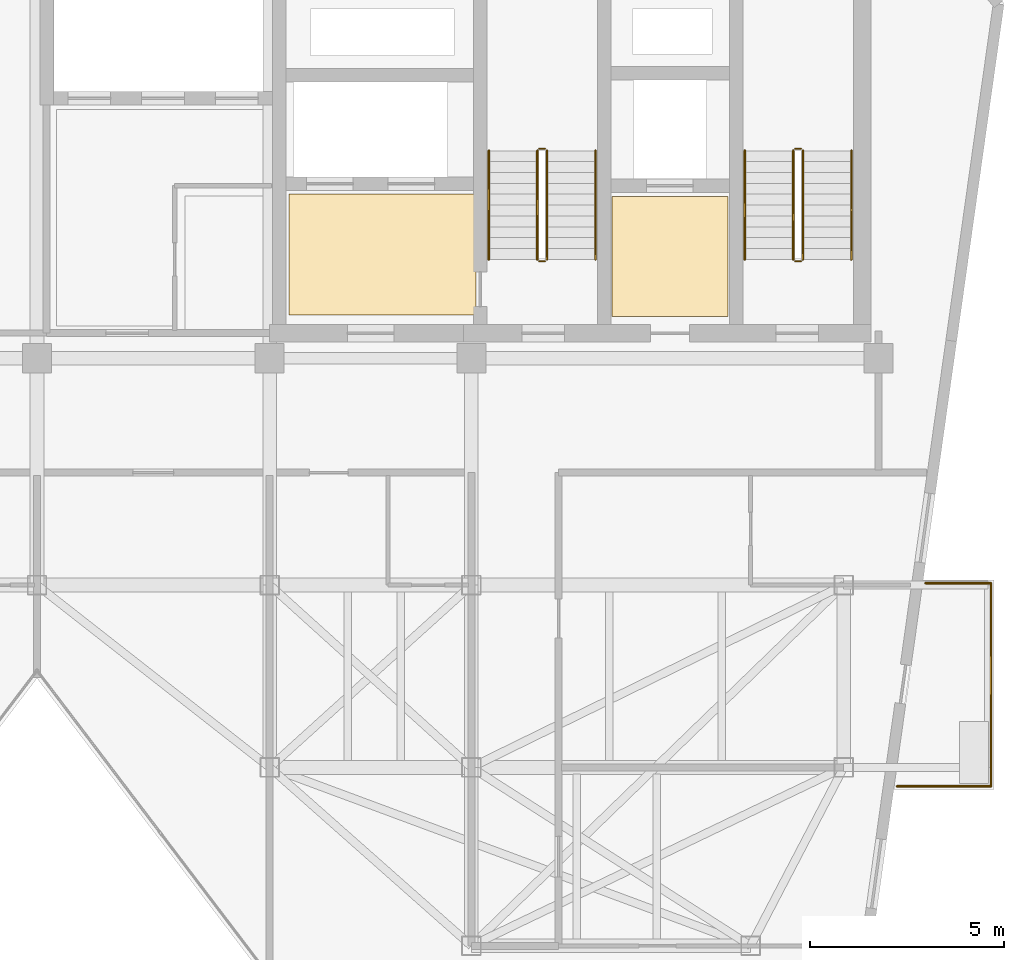
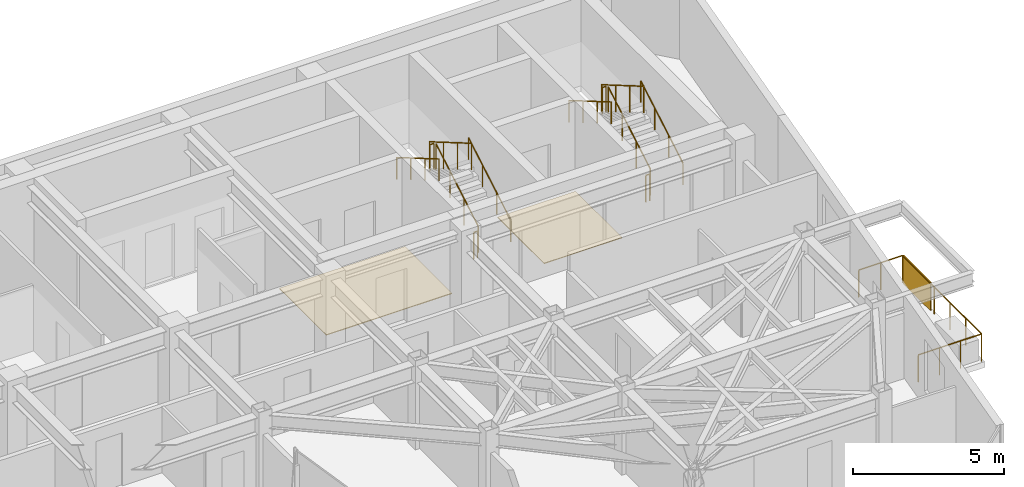
# One storey, part 20 of 20: 15 railings, 2 coverings, 1 shading device.
"""IFC4 building model written with IfcOpenShell, lengths in metres."""

from ifc_helpers import new_model, si_unit, direction, frame, origin, origin_2d, place, context, subcontext, project, spatial, polyline, rectangle, circle, outline, extrude, material, layer, layer_set, type_object, element, save


model = new_model("IFC4")

# Units and contexts
model_context = context("Model", 3, precision=1e-05, world=origin(), true_north=direction((0.0, 1.0)))
body_context = subcontext(model_context, "Body", "Model", "MODEL_VIEW")
ifc_project = project(units=[si_unit("LENGTHUNIT", "METRE"), si_unit("AREAUNIT", "SQUARE_METRE"), si_unit("VOLUMEUNIT", "CUBIC_METRE"), si_unit("PLANEANGLEUNIT", "RADIAN"), si_unit("MASSUNIT", "GRAM", prefix="KILO")], contexts=[model_context])

# Site, building, storey
site_placement = place(None, origin())
site = spatial("IfcSite", under=ifc_project, at=site_placement, CompositionType="ELEMENT")
building_placement = place(site_placement, origin())
building = spatial("IfcBuilding", under=site, at=building_placement, Name="Kravanh Interchange Tower", CompositionType="ELEMENT")
storey_placement = place(building_placement, frame((0.0, 0.0, 234.60009765625)))
storey = spatial("IfcBuildingStorey", under=building, at=storey_placement, Name="L56", CompositionType="ELEMENT", Elevation=234.60009765625)

# Coverings
ifc_material_1 = material(Name="Cementitious Terrazzo Tile")
ifc_layer_1 = layer(ifc_material_1, 0.030029296875)
ifc_layer_set_1 = layer_set([ifc_layer_1], Name="Honed Terrazzo Lobby Flooring 30mm")
covering_type = type_object("IfcCoveringType", Name="Honed Terrazzo Lobby Flooring 30mm", PredefinedType="FLOORING", material=ifc_layer_set_1)
covering_1_placement = place(storey_placement, origin())
element("IfcCovering", 1, at=covering_1_placement, inside=storey, type_object=covering_type, Name="L56 Service Lift Lobby Floor Finish", PredefinedType="FLOORING", context=body_context, shape_type="SweptSolid", body=[
    extrude(outline(polyline([(59.6298828125, 41.52001953125), (62.6201171875, 41.52001953125), (62.6201171875, 38.429931640625), (59.6298828125, 38.429931640625), (59.6298828125, 41.52001953125)])), origin(), (0.0, 0.0, 1.0), 0.02978515625),
])
covering_2_placement = place(storey_placement, origin())
element("IfcCovering", 2, at=covering_2_placement, inside=storey, type_object=covering_type, Name="L56 Firefighting Lobby Floor Finish", PredefinedType="FLOORING", context=body_context, shape_type="SweptSolid", body=[
    extrude(outline(polyline([(56.1201171875, 38.4599609375), (51.300048828125, 38.4599609375), (51.300048828125, 41.580078125), (56.1201171875, 41.580078125), (56.1201171875, 38.4599609375)])), origin(), (0.0, 0.0, 1.0), 0.02978515625),
])

# Shading device
ifc_material_2 = material(Name="Perforated Anodised Bronze Aluminium", Category="aluminium")
ifc_layer_2 = layer(ifc_material_2, 0.0400390625)
ifc_layer_set_2 = layer_set([ifc_layer_2], Name="Perforated Bronze Balcony Privacy Screen 1150mm")
shading_device_type = type_object("IfcShadingDeviceType", Name="Perforated Bronze Balcony Privacy Screen 1150mm", PredefinedType="USERDEFINED", material=ifc_layer_set_2)
shading_device_placement = place(storey_placement, frame((69.39892578125, 30.580078125, 0.0), z_axis=(0.0, 0.0, 1.0), x_axis=(1.0, 0.0, 0.0)))
element("IfcShadingDevice", 3, at=shading_device_placement, inside=storey, type_object=shading_device_type, Name="L56 E Perforated Bronze BALCONY SCREEN", ObjectType="SCREEN", PredefinedType="USERDEFINED", context=body_context, shape_type="SweptSolid", body=[
    extrude(rectangle(XDim=0.0400390625, YDim=1.800048828125, at=origin_2d()), origin(), (0.0, 0.0, 1.0), 1.14990234375),
])

# Railings
ifc_material_3 = material(Name="Stainless Steel 316", Category="steel")
ifc_layer_3 = layer(ifc_material_3, 0.06005859375)
ifc_layer_set_3 = layer_set([ifc_layer_3], Name="Perimeter Balcony and Terrace Guardrail Stainless 316 1120mm")
railing_type_1 = type_object("IfcRailingType", Name="Perimeter Balcony and Terrace Guardrail Stainless 316 1120mm", PredefinedType="GUARDRAIL", material=ifc_layer_set_3)
railing_1_placement = place(storey_placement, frame((69.39892578125, 31.550048828125, 0.0)))
element("IfcRailing", 4, at=railing_1_placement, inside=storey, type_object=railing_type_1, Name="L56 E Balcony Guardrail 1", PredefinedType="GUARDRAIL", context=body_context, shape_type="SweptSolid", body=[
    extrude(circle(Radius=0.02392578125, at=origin_2d()), frame((0.0, 0.0, 1.09619140625), z_axis=(0.0, -1.0, 0.0), x_axis=(1.0, 0.0, 0.0)), (0.0, 0.0, 1.0), 5.239990234375),
    extrude(circle(Radius=0.02099609375, at=origin_2d()), origin(), (0.0, 0.0, 1.0), 1.072021484375),
    extrude(circle(Radius=0.02099609375, at=origin_2d()), frame((0.0, -1.048095703125, 0.0)), (0.0, 0.0, 1.0), 1.072021484375),
    extrude(circle(Radius=0.02099609375, at=origin_2d()), frame((0.0, -2.095947265625, 0.0)), (0.0, 0.0, 1.0), 1.072021484375),
    extrude(circle(Radius=0.02099609375, at=origin_2d()), frame((0.0, -3.14404296875, 0.0)), (0.0, 0.0, 1.0), 1.072021484375),
    extrude(circle(Radius=0.02099609375, at=origin_2d()), frame((0.0, -4.19189453125, 0.0)), (0.0, 0.0, 1.0), 1.072021484375),
    extrude(circle(Radius=0.02099609375, at=origin_2d()), frame((0.0, -5.239990234375, 0.0)), (0.0, 0.0, 1.0), 1.072021484375),
])
railing_2_placement = place(storey_placement, frame((69.39892578125, 26.31005859375, 0.0)))
element("IfcRailing", 5, at=railing_2_placement, inside=storey, type_object=railing_type_1, Name="L56 E Balcony Guardrail 2", PredefinedType="GUARDRAIL", context=body_context, shape_type="SweptSolid", body=[
    extrude(circle(Radius=0.02392578125, at=origin_2d()), frame((0.0, 0.0, 1.09619140625), z_axis=(-1.0, 0.0, 0.0), x_axis=(0.0, -1.0, 0.0)), (0.0, 0.0, 1.0), 2.421630859375),
    extrude(circle(Radius=0.02099609375, at=origin_2d()), origin(), (0.0, 0.0, 1.0), 1.072021484375),
    extrude(circle(Radius=0.02099609375, at=origin_2d()), frame((-0.80712890625, 0.0, 0.0)), (0.0, 0.0, 1.0), 1.072021484375),
    extrude(circle(Radius=0.02099609375, at=origin_2d()), frame((-1.614501953125, 0.0, 0.0)), (0.0, 0.0, 1.0), 1.072021484375),
    extrude(circle(Radius=0.02099609375, at=origin_2d()), frame((-2.421630859375, 0.0, 0.0)), (0.0, 0.0, 1.0), 1.072021484375),
])
railing_3_placement = place(storey_placement, frame((67.713623046875, 31.550048828125, 0.0)))
element("IfcRailing", 6, at=railing_3_placement, inside=storey, type_object=railing_type_1, Name="L56 E Balcony Guardrail 3", PredefinedType="GUARDRAIL", context=body_context, shape_type="SweptSolid", body=[
    extrude(circle(Radius=0.02392578125, at=origin_2d()), frame((0.0, 0.0, 1.09619140625), z_axis=(1.0, 0.0, 0.0), x_axis=(0.0, 1.0, 0.0)), (0.0, 0.0, 1.0), 1.685302734375),
    extrude(circle(Radius=0.02099609375, at=origin_2d()), origin(), (0.0, 0.0, 1.0), 1.072021484375),
    extrude(circle(Radius=0.02099609375, at=origin_2d()), frame((0.8427734375, 0.0, 0.0)), (0.0, 0.0, 1.0), 1.072021484375),
    extrude(circle(Radius=0.02099609375, at=origin_2d()), frame((1.685302734375, 0.0, 0.0)), (0.0, 0.0, 1.0), 1.072021484375),
])
ifc_material_4 = material(Name="Structural Steel S355", Category="steel")
ifc_layer_4 = layer(ifc_material_4, 0.050048828125)
ifc_layer_set_4 = layer_set([ifc_layer_4], Name="Stair Well Guardrail Structural Steel S355 1100mm")
railing_type_2 = type_object("IfcRailingType", Name="Stair Well Guardrail Structural Steel S355 1100mm", PredefinedType="GUARDRAIL", material=ifc_layer_set_4)
railing_4_placement = place(storey_placement, frame((64.550048828125, 39.89990234375, 0.16357421875)))
element("IfcRailing", 7, at=railing_4_placement, inside=storey, type_object=railing_type_2, Name="L56 ST1 stair guard 1", PredefinedType="GUARDRAIL", context=body_context, shape_type="SweptSolid", body=[
    extrude(circle(Radius=0.02392578125, at=origin_2d()), frame((0.0, 0.0, 1.076171875), z_axis=(0.0, 0.863393664356, 0.504530851732), x_axis=(-1.0, 0.0, 0.0)), (0.0, 0.0, 1.0), 3.2431640625),
    extrude(circle(Radius=0.02099609375, at=origin_2d()), origin(), (0.0, 0.0, 1.0), 1.052001953125),
    extrude(circle(Radius=0.02099609375, at=origin_2d()), frame((0.0, 0.933349609375, 0.54541015625)), (0.0, 0.0, 1.0), 1.052001953125),
    extrude(circle(Radius=0.02099609375, at=origin_2d()), frame((0.0, 1.86669921875, 1.0908203125)), (0.0, 0.0, 1.0), 1.052001953125),
    extrude(circle(Radius=0.02099609375, at=origin_2d()), frame((0.0, 2.800048828125, 1.63623046875)), (0.0, 0.0, 1.0), 1.052001953125),
])
railing_5_placement = place(storey_placement, frame((64.5, 42.75, 1.7998046875)))
element("IfcRailing", 8, at=railing_5_placement, inside=storey, type_object=railing_type_2, Name="L56 ST1 stair guard 2", PredefinedType="GUARDRAIL", context=body_context, shape_type="SweptSolid", body=[
    extrude(circle(Radius=0.02392578125, at=origin_2d()), frame((0.0, 0.0, 1.076171875), z_axis=(-1.0, 0.0, 0.0), x_axis=(0.0, -1.0, 0.0)), (0.0, 0.0, 1.0), 0.14990234375),
    extrude(circle(Radius=0.02099609375, at=origin_2d()), origin(), (0.0, 0.0, 1.0), 1.052001953125),
    extrude(circle(Radius=0.02099609375, at=origin_2d()), frame((-0.14990234375, 0.0, 0.0)), (0.0, 0.0, 1.0), 1.052001953125),
])
railing_6_placement = place(storey_placement, frame((64.300048828125, 42.699951171875, 1.963623046875)))
element("IfcRailing", 9, at=railing_6_placement, inside=storey, type_object=railing_type_2, Name="L56 ST1 stair guard 3", PredefinedType="GUARDRAIL", context=body_context, shape_type="SweptSolid", body=[
    extrude(circle(Radius=0.02392578125, at=origin_2d()), frame((0.0, 0.0, 1.076171875), z_axis=(0.0, -0.863393664356, 0.504530851732), x_axis=(1.0, 0.0, 0.0)), (0.0, 0.0, 1.0), 3.2431640625),
    extrude(circle(Radius=0.02099609375, at=origin_2d()), origin(), (0.0, 0.0, 1.0), 1.052001953125),
    extrude(circle(Radius=0.02099609375, at=origin_2d()), frame((0.0, -0.933349609375, 0.54541015625)), (0.0, 0.0, 1.0), 1.052001953125),
    extrude(circle(Radius=0.02099609375, at=origin_2d()), frame((0.0, -1.86669921875, 1.0908203125)), (0.0, 0.0, 1.0), 1.052001953125),
    extrude(circle(Radius=0.02099609375, at=origin_2d()), frame((0.0, -2.800048828125, 1.63623046875)), (0.0, 0.0, 1.0), 1.052001953125),
])
railing_7_placement = place(storey_placement, frame((64.5, 39.85009765625, 0.0)))
element("IfcRailing", 10, at=railing_7_placement, inside=storey, type_object=railing_type_2, Name="L56 ST1 stair guard 4", PredefinedType="GUARDRAIL", context=body_context, shape_type="SweptSolid", body=[
    extrude(circle(Radius=0.02392578125, at=origin_2d()), frame((0.0, 0.0, 1.076171875), z_axis=(-1.0, 0.0, 0.0), x_axis=(0.0, -1.0, 0.0)), (0.0, 0.0, 1.0), 0.14990234375),
    extrude(circle(Radius=0.02099609375, at=origin_2d()), origin(), (0.0, 0.0, 1.0), 1.052001953125),
    extrude(circle(Radius=0.02099609375, at=origin_2d()), frame((-0.14990234375, 0.0, 0.0)), (0.0, 0.0, 1.0), 1.052001953125),
])
railing_8_placement = place(storey_placement, frame((57.949951171875, 39.89990234375, 0.16357421875)))
element("IfcRailing", 11, at=railing_8_placement, inside=storey, type_object=railing_type_2, Name="L56 ST2 stair guard 1", PredefinedType="GUARDRAIL", context=body_context, shape_type="SweptSolid", body=[
    extrude(circle(Radius=0.02392578125, at=origin_2d()), frame((0.0, 0.0, 1.076171875), z_axis=(0.0, 0.863393664356, 0.504530851732), x_axis=(-1.0, 0.0, 0.0)), (0.0, 0.0, 1.0), 3.2431640625),
    extrude(circle(Radius=0.02099609375, at=origin_2d()), origin(), (0.0, 0.0, 1.0), 1.052001953125),
    extrude(circle(Radius=0.02099609375, at=origin_2d()), frame((0.0, 0.933349609375, 0.54541015625)), (0.0, 0.0, 1.0), 1.052001953125),
    extrude(circle(Radius=0.02099609375, at=origin_2d()), frame((0.0, 1.86669921875, 1.0908203125)), (0.0, 0.0, 1.0), 1.052001953125),
    extrude(circle(Radius=0.02099609375, at=origin_2d()), frame((0.0, 2.800048828125, 1.63623046875)), (0.0, 0.0, 1.0), 1.052001953125),
])
railing_9_placement = place(storey_placement, frame((57.89990234375, 42.75, 1.7998046875)))
element("IfcRailing", 12, at=railing_9_placement, inside=storey, type_object=railing_type_2, Name="L56 ST2 stair guard 2", PredefinedType="GUARDRAIL", context=body_context, shape_type="SweptSolid", body=[
    extrude(circle(Radius=0.02392578125, at=origin_2d()), frame((0.0, 0.0, 1.076171875), z_axis=(-1.0, 0.0, 0.0), x_axis=(0.0, -1.0, 0.0)), (0.0, 0.0, 1.0), 0.14990234375),
    extrude(circle(Radius=0.02099609375, at=origin_2d()), origin(), (0.0, 0.0, 1.0), 1.052001953125),
    extrude(circle(Radius=0.02099609375, at=origin_2d()), frame((-0.14990234375, 0.0, 0.0)), (0.0, 0.0, 1.0), 1.052001953125),
])
railing_10_placement = place(storey_placement, frame((57.699951171875, 42.699951171875, 1.963623046875)))
element("IfcRailing", 13, at=railing_10_placement, inside=storey, type_object=railing_type_2, Name="L56 ST2 stair guard 3", PredefinedType="GUARDRAIL", context=body_context, shape_type="SweptSolid", body=[
    extrude(circle(Radius=0.02392578125, at=origin_2d()), frame((0.0, 0.0, 1.076171875), z_axis=(0.0, -0.863393664356, 0.504530851732), x_axis=(1.0, 0.0, 0.0)), (0.0, 0.0, 1.0), 3.2431640625),
    extrude(circle(Radius=0.02099609375, at=origin_2d()), origin(), (0.0, 0.0, 1.0), 1.052001953125),
    extrude(circle(Radius=0.02099609375, at=origin_2d()), frame((0.0, -0.933349609375, 0.54541015625)), (0.0, 0.0, 1.0), 1.052001953125),
    extrude(circle(Radius=0.02099609375, at=origin_2d()), frame((0.0, -1.86669921875, 1.0908203125)), (0.0, 0.0, 1.0), 1.052001953125),
    extrude(circle(Radius=0.02099609375, at=origin_2d()), frame((0.0, -2.800048828125, 1.63623046875)), (0.0, 0.0, 1.0), 1.052001953125),
])
railing_11_placement = place(storey_placement, frame((57.89990234375, 39.85009765625, 0.0)))
element("IfcRailing", 14, at=railing_11_placement, inside=storey, type_object=railing_type_2, Name="L56 ST2 stair guard 4", PredefinedType="GUARDRAIL", context=body_context, shape_type="SweptSolid", body=[
    extrude(circle(Radius=0.02392578125, at=origin_2d()), frame((0.0, 0.0, 1.076171875), z_axis=(-1.0, 0.0, 0.0), x_axis=(0.0, -1.0, 0.0)), (0.0, 0.0, 1.0), 0.14990234375),
    extrude(circle(Radius=0.02099609375, at=origin_2d()), origin(), (0.0, 0.0, 1.0), 1.052001953125),
    extrude(circle(Radius=0.02099609375, at=origin_2d()), frame((-0.14990234375, 0.0, 0.0)), (0.0, 0.0, 1.0), 1.052001953125),
])
ifc_material_5 = material(Name="Stainless Steel 304", Category="steel")
ifc_layer_5 = layer(ifc_material_5, 0.044921875)
ifc_layer_set_5 = layer_set([ifc_layer_5], Name="Tubular Stair Handrail Stainless 304 900mm")
railing_type_3 = type_object("IfcRailingType", Name="Tubular Stair Handrail Stainless 304 900mm", PredefinedType="HANDRAIL", material=ifc_layer_set_5)
railing_12_placement = place(storey_placement, frame((65.800048828125, 39.89990234375, 0.16357421875)))
element("IfcRailing", 15, at=railing_12_placement, inside=storey, type_object=railing_type_3, Name="L56 ST1 stair handrail 1", PredefinedType="HANDRAIL", context=body_context, shape_type="SweptSolid", body=[
    extrude(circle(Radius=0.02392578125, at=origin_2d()), frame((0.0, 0.0, 0.8759765625), z_axis=(0.0, 0.863393664356, 0.504530851732), x_axis=(-1.0, 0.0, 0.0)), (0.0, 0.0, 1.0), 3.2431640625),
    extrude(circle(Radius=0.02099609375, at=origin_2d()), origin(), (0.0, 0.0, 1.0), 0.851806640625),
    extrude(circle(Radius=0.02099609375, at=origin_2d()), frame((0.0, 0.933349609375, 0.54541015625)), (0.0, 0.0, 1.0), 0.851806640625),
    extrude(circle(Radius=0.02099609375, at=origin_2d()), frame((0.0, 1.86669921875, 1.0908203125)), (0.0, 0.0, 1.0), 0.851806640625),
    extrude(circle(Radius=0.02099609375, at=origin_2d()), frame((0.0, 2.800048828125, 1.63623046875)), (0.0, 0.0, 1.0), 0.851806640625),
])
railing_13_placement = place(storey_placement, frame((63.050048828125, 42.699951171875, 1.963623046875)))
element("IfcRailing", 16, at=railing_13_placement, inside=storey, type_object=railing_type_3, Name="L56 ST1 stair handrail 2", PredefinedType="HANDRAIL", context=body_context, shape_type="SweptSolid", body=[
    extrude(circle(Radius=0.02392578125, at=origin_2d()), frame((0.0, 0.0, 0.8759765625), z_axis=(0.0, -0.863393664356, 0.504530851732), x_axis=(1.0, 0.0, 0.0)), (0.0, 0.0, 1.0), 3.2431640625),
    extrude(circle(Radius=0.02099609375, at=origin_2d()), origin(), (0.0, 0.0, 1.0), 0.851806640625),
    extrude(circle(Radius=0.02099609375, at=origin_2d()), frame((0.0, -0.933349609375, 0.54541015625)), (0.0, 0.0, 1.0), 0.851806640625),
    extrude(circle(Radius=0.02099609375, at=origin_2d()), frame((0.0, -1.86669921875, 1.0908203125)), (0.0, 0.0, 1.0), 0.851806640625),
    extrude(circle(Radius=0.02099609375, at=origin_2d()), frame((0.0, -2.800048828125, 1.63623046875)), (0.0, 0.0, 1.0), 0.851806640625),
])
railing_14_placement = place(storey_placement, frame((59.199951171875, 39.89990234375, 0.16357421875)))
element("IfcRailing", 17, at=railing_14_placement, inside=storey, type_object=railing_type_3, Name="L56 ST2 stair handrail 1", PredefinedType="HANDRAIL", context=body_context, shape_type="SweptSolid", body=[
    extrude(circle(Radius=0.02392578125, at=origin_2d()), frame((0.0, 0.0, 0.8759765625), z_axis=(0.0, 0.863393664356, 0.504530851732), x_axis=(-1.0, 0.0, 0.0)), (0.0, 0.0, 1.0), 3.2431640625),
    extrude(circle(Radius=0.02099609375, at=origin_2d()), origin(), (0.0, 0.0, 1.0), 0.851806640625),
    extrude(circle(Radius=0.02099609375, at=origin_2d()), frame((0.0, 0.933349609375, 0.54541015625)), (0.0, 0.0, 1.0), 0.851806640625),
    extrude(circle(Radius=0.02099609375, at=origin_2d()), frame((0.0, 1.86669921875, 1.0908203125)), (0.0, 0.0, 1.0), 0.851806640625),
    extrude(circle(Radius=0.02099609375, at=origin_2d()), frame((0.0, 2.800048828125, 1.63623046875)), (0.0, 0.0, 1.0), 0.851806640625),
])
railing_15_placement = place(storey_placement, frame((56.449951171875, 42.699951171875, 1.963623046875)))
element("IfcRailing", 18, at=railing_15_placement, inside=storey, type_object=railing_type_3, Name="L56 ST2 stair handrail 2", PredefinedType="HANDRAIL", context=body_context, shape_type="SweptSolid", body=[
    extrude(circle(Radius=0.02392578125, at=origin_2d()), frame((0.0, 0.0, 0.8759765625), z_axis=(0.0, -0.863393664356, 0.504530851732), x_axis=(1.0, 0.0, 0.0)), (0.0, 0.0, 1.0), 3.2431640625),
    extrude(circle(Radius=0.02099609375, at=origin_2d()), origin(), (0.0, 0.0, 1.0), 0.851806640625),
    extrude(circle(Radius=0.02099609375, at=origin_2d()), frame((0.0, -0.933349609375, 0.54541015625)), (0.0, 0.0, 1.0), 0.851806640625),
    extrude(circle(Radius=0.02099609375, at=origin_2d()), frame((0.0, -1.86669921875, 1.0908203125)), (0.0, 0.0, 1.0), 0.851806640625),
    extrude(circle(Radius=0.02099609375, at=origin_2d()), frame((0.0, -2.800048828125, 1.63623046875)), (0.0, 0.0, 1.0), 0.851806640625),
])

save(model, "model.ifc")
